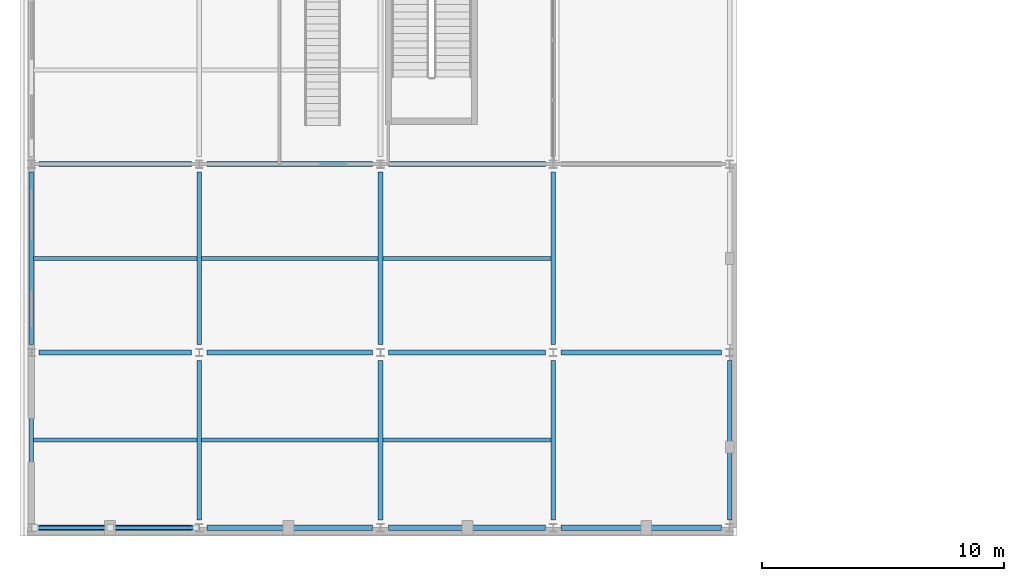
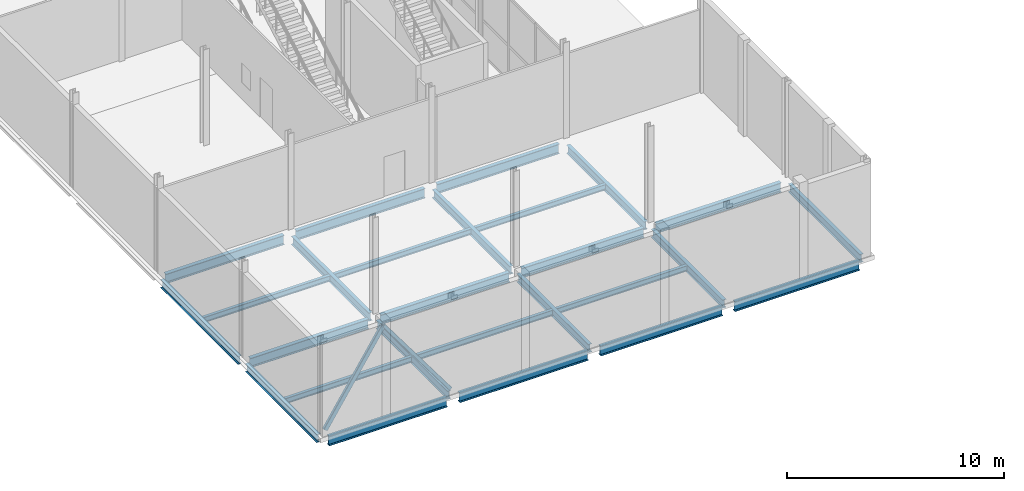
# One storey, part 12 of 83: 26 beams, 2 members.
"""IFC4 building model written with IfcOpenShell, lengths in metres."""

from ifc_helpers import new_model, si_unit, direction, frame, origin, origin_2d, place, context, subcontext, project, spatial, hollow_rectangle, i_section, extrude, material, material_profile, profile_set, type_object, element, save


model = new_model("IFC4")

# Units and contexts
model_context = context("Model", 3, precision=1e-05, world=origin(), true_north=direction((0.0, 1.0)))
body_context = subcontext(model_context, "Body", "Model", "MODEL_VIEW")
ifc_project = project(units=[si_unit("LENGTHUNIT", "METRE"), si_unit("AREAUNIT", "SQUARE_METRE"), si_unit("VOLUMEUNIT", "CUBIC_METRE"), si_unit("PLANEANGLEUNIT", "RADIAN"), si_unit("MASSUNIT", "GRAM", prefix="KILO")], contexts=[model_context])

# Site, building, storey
site_placement = place(None, origin())
site = spatial("IfcSite", under=ifc_project, at=site_placement, CompositionType="ELEMENT")
building_placement = place(site_placement, origin())
building = spatial("IfcBuilding", under=site, at=building_placement, Name="Quillay Park Conservatory", CompositionType="ELEMENT")
storey_placement = place(building_placement, origin())
storey = spatial("IfcBuildingStorey", under=building, at=storey_placement, Name="L00", CompositionType="ELEMENT", Elevation=0.0)

# Beams
ifc_material_1 = material(Name="Steel ASTM A992 Grade 50", Category="steel")
ifc_material_profile_1 = material_profile(ifc_material_1, i_section(OverallWidth=0.166015625, OverallDepth=0.31298828125, WebThickness=0.006591796875, FlangeThickness=0.01123046875, FilletRadius=0.010009765625, at=origin_2d()), Name="W310x45")
ifc_profile_set_1 = profile_set([ifc_material_profile_1], Name="Steel ASTM A992 Grade 50")
beam_type_1 = type_object("IfcBeamType", Name="COMPOSITE FLOOR JOIST W310 X45", PredefinedType="JOIST", material=ifc_profile_set_1)
beam_1_placement = place(storey_placement, frame((0.64599609375, 4.175048828125, -0.406494140625), z_axis=(1.0, 0.0, 0.0), x_axis=(0.0, 1.0, 0.0)))
element("IfcBeam", 1, at=beam_1_placement, inside=storey, type_object=beam_type_1, Name="L00 beam BM-V3J-1243", PredefinedType="JOIST", context=body_context, shape_type="SweptSolid", body=[
    extrude(i_section(OverallWidth=0.166015625, OverallDepth=0.31298828125, WebThickness=0.006591796875, FlangeThickness=0.01123046875, FilletRadius=0.010009765625, at=origin_2d()), origin(), (0.0, 0.0, 1.0), 6.758056640625),
])
beam_2_placement = place(storey_placement, frame((7.595947265625, 4.175048828125, -0.406494140625), z_axis=(1.0, 0.0, 0.0), x_axis=(0.0, 1.0, 0.0)))
element("IfcBeam", 2, at=beam_2_placement, inside=storey, type_object=beam_type_1, Name="L00 beam BM-V3J-1244", PredefinedType="JOIST", context=body_context, shape_type="SweptSolid", body=[
    extrude(i_section(OverallWidth=0.166015625, OverallDepth=0.31298828125, WebThickness=0.006591796875, FlangeThickness=0.01123046875, FilletRadius=0.010009765625, at=origin_2d()), origin(), (0.0, 0.0, 1.0), 7.30810546875),
])
beam_3_placement = place(storey_placement, frame((15.095947265625, 4.175048828125, -0.406494140625), z_axis=(1.0, 0.0, 0.0), x_axis=(0.0, 1.0, 0.0)))
element("IfcBeam", 3, at=beam_3_placement, inside=storey, type_object=beam_type_1, Name="L00 beam BM-V3J-1245", PredefinedType="JOIST", context=body_context, shape_type="SweptSolid", body=[
    extrude(i_section(OverallWidth=0.166015625, OverallDepth=0.31298828125, WebThickness=0.006591796875, FlangeThickness=0.01123046875, FilletRadius=0.010009765625, at=origin_2d()), origin(), (0.0, 0.0, 1.0), 6.9580078125),
])
beam_4_placement = place(storey_placement, frame((0.64599609375, 11.699951171875, -0.406494140625), z_axis=(1.0, 0.0, 0.0), x_axis=(0.0, 1.0, 0.0)))
element("IfcBeam", 4, at=beam_4_placement, inside=storey, type_object=beam_type_1, Name="L00 beam BM-V3J-1246", PredefinedType="JOIST", context=body_context, shape_type="SweptSolid", body=[
    extrude(i_section(OverallWidth=0.166015625, OverallDepth=0.31298828125, WebThickness=0.006591796875, FlangeThickness=0.01123046875, FilletRadius=0.010009765625, at=origin_2d()), origin(), (0.0, 0.0, 1.0), 6.758056640625),
])
beam_5_placement = place(storey_placement, frame((7.595947265625, 11.699951171875, -0.406494140625), z_axis=(1.0, 0.0, 0.0), x_axis=(0.0, 1.0, 0.0)))
element("IfcBeam", 5, at=beam_5_placement, inside=storey, type_object=beam_type_1, Name="L00 beam BM-V3J-1247", PredefinedType="JOIST", context=body_context, shape_type="SweptSolid", body=[
    extrude(i_section(OverallWidth=0.166015625, OverallDepth=0.31298828125, WebThickness=0.006591796875, FlangeThickness=0.01123046875, FilletRadius=0.010009765625, at=origin_2d()), origin(), (0.0, 0.0, 1.0), 7.30810546875),
])
beam_6_placement = place(storey_placement, frame((15.095947265625, 11.699951171875, -0.406494140625), z_axis=(1.0, 0.0, 0.0), x_axis=(0.0, 1.0, 0.0)))
element("IfcBeam", 6, at=beam_6_placement, inside=storey, type_object=beam_type_1, Name="L00 beam BM-V3J-1248", PredefinedType="JOIST", context=body_context, shape_type="SweptSolid", body=[
    extrude(i_section(OverallWidth=0.166015625, OverallDepth=0.31298828125, WebThickness=0.006591796875, FlangeThickness=0.01123046875, FilletRadius=0.010009765625, at=origin_2d()), origin(), (0.0, 0.0, 1.0), 6.9580078125),
])
ifc_material_2 = material(Name="Steel ASTM A992 Grade 50", Category="steel")
ifc_material_profile_2 = material_profile(ifc_material_2, i_section(OverallWidth=0.19189453125, OverallDepth=0.462890625, WebThickness=0.010498046875, FlangeThickness=0.017578125, FilletRadius=0.012939453125, at=origin_2d()), Name="W460x89")
ifc_profile_set_2 = profile_set([ifc_material_profile_2], Name="Steel ASTM A992 Grade 50")
beam_type_2 = type_object("IfcBeamType", Name="PRIMARY FLOOR GIRDER W460 X89", PredefinedType="BEAM", material=ifc_profile_set_2)
beam_7_placement = place(storey_placement, frame((0.550048828125, 0.875, -0.4814453125), z_axis=(0.0, 1.0, 0.0), x_axis=(-1.0, 0.0, 0.0)))
element("IfcBeam", 7, at=beam_7_placement, inside=storey, type_object=beam_type_2, Name="L00 beam BM-V3Y-1208", PredefinedType="BEAM", context=body_context, shape_type="SweptSolid", body=[
    extrude(i_section(OverallWidth=0.19189453125, OverallDepth=0.462890625, WebThickness=0.010498046875, FlangeThickness=0.017578125, FilletRadius=0.012939453125, at=origin_2d()), origin(), (0.0, 0.0, 1.0), 6.60009765625),
])
beam_8_placement = place(storey_placement, frame((0.550048828125, 8.125, -0.4814453125), z_axis=(0.0, 1.0, 0.0), x_axis=(-1.0, 0.0, 0.0)))
element("IfcBeam", 8, at=beam_8_placement, inside=storey, type_object=beam_type_2, Name="L00 beam BM-V3Y-1209", PredefinedType="BEAM", context=body_context, shape_type="SweptSolid", body=[
    extrude(i_section(OverallWidth=0.19189453125, OverallDepth=0.462890625, WebThickness=0.010498046875, FlangeThickness=0.017578125, FilletRadius=0.012939453125, at=origin_2d()), origin(), (0.0, 0.0, 1.0), 7.14990234375),
])
beam_9_placement = place(storey_placement, frame((7.5, 0.875, -0.4814453125), z_axis=(0.0, 1.0, 0.0), x_axis=(-1.0, 0.0, 0.0)))
element("IfcBeam", 9, at=beam_9_placement, inside=storey, type_object=beam_type_2, Name="L00 beam BM-V3Y-1215", PredefinedType="BEAM", context=body_context, shape_type="SweptSolid", body=[
    extrude(i_section(OverallWidth=0.19189453125, OverallDepth=0.462890625, WebThickness=0.010498046875, FlangeThickness=0.017578125, FilletRadius=0.012939453125, at=origin_2d()), origin(), (0.0, 0.0, 1.0), 6.60009765625),
])
beam_10_placement = place(storey_placement, frame((7.5, 8.125, -0.4814453125), z_axis=(0.0, 1.0, 0.0), x_axis=(-1.0, 0.0, 0.0)))
element("IfcBeam", 10, at=beam_10_placement, inside=storey, type_object=beam_type_2, Name="L00 beam BM-V3Y-1216", PredefinedType="BEAM", context=body_context, shape_type="SweptSolid", body=[
    extrude(i_section(OverallWidth=0.19189453125, OverallDepth=0.462890625, WebThickness=0.010498046875, FlangeThickness=0.017578125, FilletRadius=0.012939453125, at=origin_2d()), origin(), (0.0, 0.0, 1.0), 7.14990234375),
])
beam_11_placement = place(storey_placement, frame((15.0, 0.875, -0.4814453125), z_axis=(0.0, 1.0, 0.0), x_axis=(-1.0, 0.0, 0.0)))
element("IfcBeam", 11, at=beam_11_placement, inside=storey, type_object=beam_type_2, Name="L00 beam BM-V3Y-1222", PredefinedType="BEAM", context=body_context, shape_type="SweptSolid", body=[
    extrude(i_section(OverallWidth=0.19189453125, OverallDepth=0.462890625, WebThickness=0.010498046875, FlangeThickness=0.017578125, FilletRadius=0.012939453125, at=origin_2d()), origin(), (0.0, 0.0, 1.0), 6.60009765625),
])
beam_12_placement = place(storey_placement, frame((15.0, 8.125, -0.4814453125), z_axis=(0.0, 1.0, 0.0), x_axis=(-1.0, 0.0, 0.0)))
element("IfcBeam", 12, at=beam_12_placement, inside=storey, type_object=beam_type_2, Name="L00 beam BM-V3Y-1223", PredefinedType="BEAM", context=body_context, shape_type="SweptSolid", body=[
    extrude(i_section(OverallWidth=0.19189453125, OverallDepth=0.462890625, WebThickness=0.010498046875, FlangeThickness=0.017578125, FilletRadius=0.012939453125, at=origin_2d()), origin(), (0.0, 0.0, 1.0), 7.14990234375),
])
beam_13_placement = place(storey_placement, frame((22.14990234375, 0.875, -0.4814453125), z_axis=(0.0, 1.0, 0.0), x_axis=(-1.0, 0.0, 0.0)))
element("IfcBeam", 13, at=beam_13_placement, inside=storey, type_object=beam_type_2, Name="L00 beam BM-V3Y-1229", PredefinedType="BEAM", context=body_context, shape_type="SweptSolid", body=[
    extrude(i_section(OverallWidth=0.19189453125, OverallDepth=0.462890625, WebThickness=0.010498046875, FlangeThickness=0.017578125, FilletRadius=0.012939453125, at=origin_2d()), origin(), (0.0, 0.0, 1.0), 6.60009765625),
])
beam_14_placement = place(storey_placement, frame((22.14990234375, 8.125, -0.4814453125), z_axis=(0.0, 1.0, 0.0), x_axis=(-1.0, 0.0, 0.0)))
element("IfcBeam", 14, at=beam_14_placement, inside=storey, type_object=beam_type_2, Name="L00 beam BM-V3Y-1230", PredefinedType="BEAM", context=body_context, shape_type="SweptSolid", body=[
    extrude(i_section(OverallWidth=0.19189453125, OverallDepth=0.462890625, WebThickness=0.010498046875, FlangeThickness=0.017578125, FilletRadius=0.012939453125, at=origin_2d()), origin(), (0.0, 0.0, 1.0), 7.14990234375),
])
beam_15_placement = place(storey_placement, frame((29.449951171875, 0.875, -0.4814453125), z_axis=(0.0, 1.0, 0.0), x_axis=(-1.0, 0.0, 0.0)))
element("IfcBeam", 15, at=beam_15_placement, inside=storey, type_object=beam_type_2, Name="L00 beam BM-V3Y-1236", PredefinedType="BEAM", context=body_context, shape_type="SweptSolid", body=[
    extrude(i_section(OverallWidth=0.19189453125, OverallDepth=0.462890625, WebThickness=0.010498046875, FlangeThickness=0.017578125, FilletRadius=0.012939453125, at=origin_2d()), origin(), (0.0, 0.0, 1.0), 6.60009765625),
])
ifc_material_3 = material(Name="Steel ASTM A992 Grade 50", Category="steel")
ifc_material_profile_3 = material_profile(ifc_material_3, i_section(OverallWidth=0.2109375, OverallDepth=0.5390625, WebThickness=0.01171875, FlangeThickness=0.018798828125, FilletRadius=0.013916015625, at=origin_2d()), Name="W530x109")
ifc_profile_set_3 = profile_set([ifc_material_profile_3], Name="Steel ASTM A992 Grade 50")
beam_type_3 = type_object("IfcBeamType", Name="PRIMARY FLOOR GIRDER W530 X109", PredefinedType="BEAM", material=ifc_profile_set_3)
beam_16_placement = place(storey_placement, frame((0.875, 0.550048828125, -0.51953125), z_axis=(1.0, 0.0, 0.0), x_axis=(0.0, 1.0, 0.0)))
element("IfcBeam", 16, at=beam_16_placement, inside=storey, type_object=beam_type_3, Name="L00 beam BM-V3X-1178", PredefinedType="BEAM", context=body_context, shape_type="SweptSolid", body=[
    extrude(i_section(OverallWidth=0.2109375, OverallDepth=0.5390625, WebThickness=0.01171875, FlangeThickness=0.018798828125, FilletRadius=0.013916015625, at=origin_2d()), origin(), (0.0, 0.0, 1.0), 6.300048828125),
])
beam_17_placement = place(storey_placement, frame((7.824951171875, 0.550048828125, -0.51953125), z_axis=(1.0, 0.0, 0.0), x_axis=(0.0, 1.0, 0.0)))
element("IfcBeam", 17, at=beam_17_placement, inside=storey, type_object=beam_type_3, Name="L00 beam BM-V3X-1179", PredefinedType="BEAM", context=body_context, shape_type="SweptSolid", body=[
    extrude(i_section(OverallWidth=0.2109375, OverallDepth=0.5390625, WebThickness=0.01171875, FlangeThickness=0.018798828125, FilletRadius=0.013916015625, at=origin_2d()), origin(), (0.0, 0.0, 1.0), 6.85009765625),
])
beam_18_placement = place(storey_placement, frame((15.324951171875, 0.550048828125, -0.51953125), z_axis=(1.0, 0.0, 0.0), x_axis=(0.0, 1.0, 0.0)))
element("IfcBeam", 18, at=beam_18_placement, inside=storey, type_object=beam_type_3, Name="L00 beam BM-V3X-1180", PredefinedType="BEAM", context=body_context, shape_type="SweptSolid", body=[
    extrude(i_section(OverallWidth=0.2109375, OverallDepth=0.5390625, WebThickness=0.01171875, FlangeThickness=0.018798828125, FilletRadius=0.013916015625, at=origin_2d()), origin(), (0.0, 0.0, 1.0), 6.5),
])
beam_19_placement = place(storey_placement, frame((22.47509765625, 0.550048828125, -0.51953125), z_axis=(1.0, 0.0, 0.0), x_axis=(0.0, 1.0, 0.0)))
element("IfcBeam", 19, at=beam_19_placement, inside=storey, type_object=beam_type_3, Name="L00 beam BM-V3X-1181", PredefinedType="BEAM", context=body_context, shape_type="SweptSolid", body=[
    extrude(i_section(OverallWidth=0.2109375, OverallDepth=0.5390625, WebThickness=0.01171875, FlangeThickness=0.018798828125, FilletRadius=0.013916015625, at=origin_2d()), origin(), (0.0, 0.0, 1.0), 6.64990234375),
])
beam_20_placement = place(storey_placement, frame((0.875, 7.800048828125, -0.51953125), z_axis=(1.0, 0.0, 0.0), x_axis=(0.0, 1.0, 0.0)))
element("IfcBeam", 20, at=beam_20_placement, inside=storey, type_object=beam_type_3, Name="L00 beam BM-V3X-1182", PredefinedType="BEAM", context=body_context, shape_type="SweptSolid", body=[
    extrude(i_section(OverallWidth=0.2109375, OverallDepth=0.5390625, WebThickness=0.01171875, FlangeThickness=0.018798828125, FilletRadius=0.013916015625, at=origin_2d()), origin(), (0.0, 0.0, 1.0), 6.300048828125),
])
beam_21_placement = place(storey_placement, frame((7.824951171875, 7.800048828125, -0.51953125), z_axis=(1.0, 0.0, 0.0), x_axis=(0.0, 1.0, 0.0)))
element("IfcBeam", 21, at=beam_21_placement, inside=storey, type_object=beam_type_3, Name="L00 beam BM-V3X-1183", PredefinedType="BEAM", context=body_context, shape_type="SweptSolid", body=[
    extrude(i_section(OverallWidth=0.2109375, OverallDepth=0.5390625, WebThickness=0.01171875, FlangeThickness=0.018798828125, FilletRadius=0.013916015625, at=origin_2d()), origin(), (0.0, 0.0, 1.0), 6.85009765625),
])
beam_22_placement = place(storey_placement, frame((15.324951171875, 7.800048828125, -0.51953125), z_axis=(1.0, 0.0, 0.0), x_axis=(0.0, 1.0, 0.0)))
element("IfcBeam", 22, at=beam_22_placement, inside=storey, type_object=beam_type_3, Name="L00 beam BM-V3X-1184", PredefinedType="BEAM", context=body_context, shape_type="SweptSolid", body=[
    extrude(i_section(OverallWidth=0.2109375, OverallDepth=0.5390625, WebThickness=0.01171875, FlangeThickness=0.018798828125, FilletRadius=0.013916015625, at=origin_2d()), origin(), (0.0, 0.0, 1.0), 6.5),
])
beam_23_placement = place(storey_placement, frame((22.47509765625, 7.800048828125, -0.51953125), z_axis=(1.0, 0.0, 0.0), x_axis=(0.0, 1.0, 0.0)))
element("IfcBeam", 23, at=beam_23_placement, inside=storey, type_object=beam_type_3, Name="L00 beam BM-V3X-1185", PredefinedType="BEAM", context=body_context, shape_type="SweptSolid", body=[
    extrude(i_section(OverallWidth=0.2109375, OverallDepth=0.5390625, WebThickness=0.01171875, FlangeThickness=0.018798828125, FilletRadius=0.013916015625, at=origin_2d()), origin(), (0.0, 0.0, 1.0), 6.64990234375),
])
beam_24_placement = place(storey_placement, frame((0.875, 15.60009765625, -0.51953125), z_axis=(1.0, 0.0, 0.0), x_axis=(0.0, 1.0, 0.0)))
element("IfcBeam", 24, at=beam_24_placement, inside=storey, type_object=beam_type_3, Name="L00 beam BM-V3X-1186", PredefinedType="BEAM", context=body_context, shape_type="SweptSolid", body=[
    extrude(i_section(OverallWidth=0.2109375, OverallDepth=0.5390625, WebThickness=0.01171875, FlangeThickness=0.018798828125, FilletRadius=0.013916015625, at=origin_2d()), origin(), (0.0, 0.0, 1.0), 6.300048828125),
])
beam_25_placement = place(storey_placement, frame((7.824951171875, 15.60009765625, -0.51953125), z_axis=(1.0, 0.0, 0.0), x_axis=(0.0, 1.0, 0.0)))
element("IfcBeam", 25, at=beam_25_placement, inside=storey, type_object=beam_type_3, Name="L00 beam BM-V3X-1187", PredefinedType="BEAM", context=body_context, shape_type="SweptSolid", body=[
    extrude(i_section(OverallWidth=0.2109375, OverallDepth=0.5390625, WebThickness=0.01171875, FlangeThickness=0.018798828125, FilletRadius=0.013916015625, at=origin_2d()), origin(), (0.0, 0.0, 1.0), 6.85009765625),
])
beam_26_placement = place(storey_placement, frame((15.324951171875, 15.60009765625, -0.51953125), z_axis=(1.0, 0.0, 0.0), x_axis=(0.0, 1.0, 0.0)))
element("IfcBeam", 26, at=beam_26_placement, inside=storey, type_object=beam_type_3, Name="L00 beam BM-V3X-1188", PredefinedType="BEAM", context=body_context, shape_type="SweptSolid", body=[
    extrude(i_section(OverallWidth=0.2109375, OverallDepth=0.5390625, WebThickness=0.01171875, FlangeThickness=0.018798828125, FilletRadius=0.013916015625, at=origin_2d()), origin(), (0.0, 0.0, 1.0), 6.5),
])

# Members
ifc_material_4 = material(Name="Steel S355J2H", Category="steel")
ifc_material_profile_4 = material_profile(ifc_material_4, hollow_rectangle(XDim=0.179931640625, YDim=0.179931640625, WallThickness=0.010009765625, InnerFilletRadius=0.010009765625, OuterFilletRadius=0.02001953125, at=origin_2d()), Name="RHS180x180x10")
ifc_profile_set_4 = profile_set([ifc_material_profile_4], Name="Steel S355J2H")
member_type_1 = type_object("IfcMemberType", Name="SEISMIC FRAME BRACE RHS180", PredefinedType="BRACE", material=ifc_profile_set_4)
member_1_placement = place(storey_placement, frame((7.35009765625, 0.550048828125, 0.14990234375), z_axis=(-0.594627895865, 0.0, 0.804001035733), x_axis=(0.0, -1.0, 0.0)))
element("IfcMember", 27, at=member_1_placement, inside=storey, type_object=member_type_1, Name="Gridshell member BR-V3-L00-B", PredefinedType="BRACE", context=body_context, shape_type="SweptSolid", body=[
    extrude(hollow_rectangle(XDim=0.179931640625, YDim=0.179931640625, WallThickness=0.010009765625, InnerFilletRadius=0.010009765625, OuterFilletRadius=0.02001953125, at=origin_2d()), origin(), (0.0, 0.0, 1.0), 5.97021484375),
])
ifc_material_5 = material(Name="Steel S355J2H", Category="steel")
ifc_material_profile_5 = material_profile(ifc_material_5, hollow_rectangle(XDim=0.14990234375, YDim=0.25, WallThickness=0.010009765625, InnerFilletRadius=0.010009765625, OuterFilletRadius=0.02001953125, at=origin_2d()), Name="RHS250x150x10")
ifc_profile_set_5 = profile_set([ifc_material_profile_5], Name="Steel S355J2H")
member_type_2 = type_object("IfcMemberType", Name="SEISMIC FRAME BRACE RHS250", PredefinedType="BRACE", material=ifc_profile_set_5)
member_2_placement = place(storey_placement, frame((0.699951171875, 0.550048828125, 0.14990234375), z_axis=(0.542533597137, 0.0, 0.840034104056), x_axis=(0.0, 1.0, 0.0)))
element("IfcMember", 28, at=member_2_placement, inside=storey, type_object=member_type_2, Name="Gridshell member BR-V3-L00-A", PredefinedType="BRACE", context=body_context, shape_type="SweptSolid", body=[
    extrude(hollow_rectangle(XDim=0.14990234375, YDim=0.25, WallThickness=0.010009765625, InnerFilletRadius=0.010009765625, OuterFilletRadius=0.02001953125, at=origin_2d()), origin(), (0.0, 0.0, 1.0), 5.714111328125),
])

save(model, "model.ifc")
